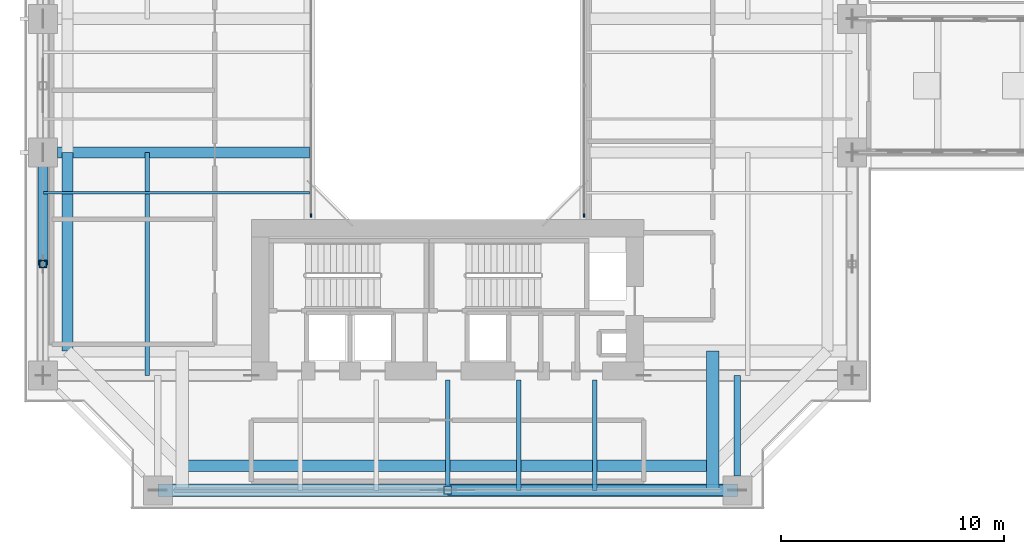
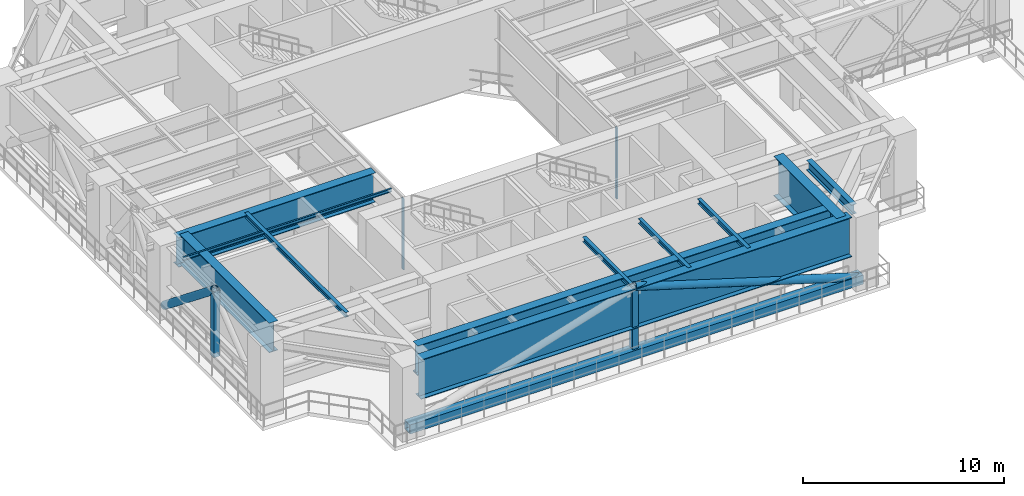
# One storey, part 2 of 25: 11 beams, 7 members, 2 elements without a shape of their own.
"""IFC4 building model written with IfcOpenShell, lengths in metres."""

from ifc_helpers import new_model, si_unit, direction, frame, origin, origin_2d, place, context, subcontext, project, spatial, rectangle, hollow_rectangle, hollow_circle, i_section, extrude, source, transform, mapped, material, layer, layer_set, material_profile, profile_set, type_object, element, aggregate, save


model = new_model("IFC4")

# Units and contexts
model_context = context("Model", 3, precision=1e-05, world=origin(), true_north=direction((0.0, 1.0)))
body_context = subcontext(model_context, "Body", "Model", "MODEL_VIEW")
ifc_project = project(units=[si_unit("LENGTHUNIT", "METRE"), si_unit("AREAUNIT", "SQUARE_METRE"), si_unit("VOLUMEUNIT", "CUBIC_METRE"), si_unit("PLANEANGLEUNIT", "RADIAN"), si_unit("MASSUNIT", "GRAM", prefix="KILO"), si_unit("THERMODYNAMICTEMPERATUREUNIT", "KELVIN"), si_unit("POWERUNIT", "WATT")], contexts=[model_context])

# Site, building, storey
site_placement = place(None, origin())
site = spatial("IfcSite", under=ifc_project, at=site_placement, CompositionType="ELEMENT")
building_placement = place(site_placement, origin())
building = spatial("IfcBuilding", under=site, at=building_placement, Name="Qiaomeng Ring Towers", CompositionType="ELEMENT")
storey_placement = place(building_placement, frame((0.0, 0.0, 92.5)))
storey = spatial("IfcBuildingStorey", under=building, at=storey_placement, Name="L26", CompositionType="ELEMENT", Elevation=92.5)

# Beams
ifc_material_1 = material(Name="Steel Q355B", Category="steel")
ifc_material_profile_1 = material_profile(ifc_material_1, i_section(OverallWidth=0.300048828125, OverallDepth=0.587890625, WebThickness=0.011962890625, FlangeThickness=0.02001953125, FilletRadius=0.028076171875, at=origin_2d()), Name="HM 588x300x12x20")
ifc_profile_set_1 = profile_set([ifc_material_profile_1], Name="Steel Q355B")
beam_type_1 = type_object("IfcBeamType", Name="STR-BM-HM588", PredefinedType="BEAM", material=ifc_profile_set_1)
shared_shape_1 = source(origin(), body_context, "Body", "SweptSolid", [
    extrude(i_section(OverallWidth=0.300048828125, OverallDepth=0.587890625, WebThickness=0.011962890625, FlangeThickness=0.02001953125, FilletRadius=0.028076171875, at=origin_2d()), origin(), (0.0, 0.0, 1.0), 4.5009765625),
])
beam_1_placement = place(storey_placement, frame((32.0, 5.4990234375, 4.02587890625), z_axis=(0.0, 1.0, 0.0), x_axis=(-1.0, 0.0, 0.0)))
element("IfcBeam", 1, at=beam_1_placement, inside=storey, type_object=beam_type_1, Name="L26 beam STR-BM-L26-T1-RAD-S2", PredefinedType="BEAM", context=body_context, shape_type="MappedRepresentation", body=[
    mapped(shared_shape_1, transform((0.0, 0.0, 0.0), x_axis=(1.0, 0.0, 0.0), y_axis=(0.0, 1.0, 0.0), z_axis=(0.0, 0.0, 1.0), scale=1.0)),
])
ifc_material_profile_2 = material_profile(ifc_material_1, i_section(OverallWidth=0.199951171875, OverallDepth=0.2939453125, WebThickness=0.008056640625, FlangeThickness=0.011962890625, FilletRadius=0.01806640625, at=origin_2d()), Name="HM 294x200x8x12")
ifc_profile_set_2 = profile_set([ifc_material_profile_2], Name="Steel Q355B")
beam_type_2 = type_object("IfcBeamType", Name="STR-BM-HM294", PredefinedType="JOIST", material=ifc_profile_set_2)
shared_shape_2 = source(origin(), body_context, "Body", "SweptSolid", [
    extrude(i_section(OverallWidth=0.199951171875, OverallDepth=0.2939453125, WebThickness=0.008056640625, FlangeThickness=0.011962890625, FilletRadius=0.01806640625, at=origin_2d()), origin(), (0.0, 0.0, 1.0), 4.949951171875),
])
for number, where, z_axis, x_axis, name in (
    (2, (19.0, 4.85009765625, 4.173095703125), (0.0, 1.0, 0.0), (-1.0, 0.0, 0.0), "L26 beam STR-JST-L26-T1S-3"),
    (3, (22.199951171875, 4.85009765625, 4.173095703125), (0.0, 1.0, 0.0), (-1.0, 0.0, 0.0), "L26 beam STR-JST-L26-T1S-4"),
    (4, (25.60009765625, 4.85009765625, 4.173095703125), (0.0, 1.0, 0.0), (-1.0, 0.0, 0.0), "L26 beam STR-JST-L26-T1S-5"),
):
    element("IfcBeam", number, at=place(storey_placement, frame(where, z_axis=z_axis, x_axis=x_axis)), inside=storey, type_object=beam_type_2, Name=name, PredefinedType="JOIST", context=body_context, shape_type="MappedRepresentation", body=[
        mapped(shared_shape_2, transform((0.0, 0.0, 0.0), x_axis=(1.0, 0.0, 0.0), y_axis=(0.0, 1.0, 0.0), z_axis=(0.0, 0.0, 1.0), scale=1.0)),
    ])
ifc_material_profile_3 = material_profile(ifc_material_1, i_section(OverallWidth=0.10009765625, OverallDepth=0.199951171875, WebThickness=0.005615234375, FlangeThickness=0.008056640625, FilletRadius=0.010986328125, at=origin_2d()), Name="HN 200x100x5.5x8")
ifc_profile_set_3 = profile_set([ifc_material_profile_3], Name="Steel Q355B")
beam_type_3 = type_object("IfcBeamType", Name="STR-BM-HN200", PredefinedType="JOIST", material=ifc_profile_set_3)
shared_shape_3 = source(origin(), body_context, "Body", "SweptSolid", [
    extrude(i_section(OverallWidth=0.10009765625, OverallDepth=0.199951171875, WebThickness=0.005615234375, FlangeThickness=0.008056640625, FilletRadius=0.010986328125, at=origin_2d()), origin(), (0.0, 0.0, 1.0), 11.949951171875),
])
beam_2_placement = place(storey_placement, frame((0.85009765625, 18.199951171875, 4.219970703125), z_axis=(1.0, 0.0, 0.0), x_axis=(0.0, 1.0, 0.0)))
element("IfcBeam", 5, at=beam_2_placement, inside=storey, type_object=beam_type_3, Name="L26 beam STR-JST-L26-T1W-1", PredefinedType="JOIST", context=body_context, shape_type="MappedRepresentation", body=[
    mapped(shared_shape_3, transform((0.0, 0.0, 0.0), x_axis=(1.0, 0.0, 0.0), y_axis=(0.0, 1.0, 0.0), z_axis=(0.0, 0.0, 1.0), scale=1.0)),
])
shared_shape_4 = source(origin(), body_context, "Body", "SweptSolid", [
    extrude(i_section(OverallWidth=0.199951171875, OverallDepth=0.2939453125, WebThickness=0.008056640625, FlangeThickness=0.011962890625, FilletRadius=0.01806640625, at=origin_2d()), origin(), (0.0, 0.0, 1.0), 10.0),
])
beam_3_placement = place(storey_placement, frame((5.52490234375, 10.0, 4.173095703125), z_axis=(0.0, 1.0, 0.0), x_axis=(-1.0, 0.0, 0.0)))
element("IfcBeam", 6, at=beam_3_placement, inside=storey, type_object=beam_type_2, Name="L26 beam STR-JST-L26-T1C-WS", PredefinedType="JOIST", context=body_context, shape_type="MappedRepresentation", body=[
    mapped(shared_shape_4, transform((0.0, 0.0, 0.0), x_axis=(1.0, 0.0, 0.0), y_axis=(0.0, 1.0, 0.0), z_axis=(0.0, 0.0, 1.0), scale=1.0)),
])

# Members
ifc_material_2 = material(Name="Steel Q390GJC", Category="steel")
ifc_material_profile_4 = material_profile(ifc_material_2, hollow_rectangle(XDim=0.550048828125, YDim=0.550048828125, WallThickness=0.031982421875, at=origin_2d()), Name="SHS 550x550x32")
ifc_profile_set_4 = profile_set([ifc_material_profile_4], Name="Steel Q390GJC")
member_type_1 = type_object("IfcMemberType", Name="STR-MB-CHORD-550", PredefinedType="CHORD", material=ifc_profile_set_4)
shared_shape_5 = source(origin(), body_context, "Body", "SweptSolid", [
    extrude(hollow_rectangle(XDim=0.550048828125, YDim=0.550048828125, WallThickness=0.031982421875, at=origin_2d()), origin(), (0.0, 0.0, 1.0), 26.0),
])
member_1_placement = place(storey_placement, frame((6.0, 4.85009765625, 0.320068359375), z_axis=(1.0, 0.0, 0.0), x_axis=(0.0, 1.0, 0.0)))
element("IfcMember", 7, at=member_1_placement, inside=storey, type_object=member_type_1, Name="L26 Belt Truss Bottom Chord S1-S2", PredefinedType="CHORD", context=body_context, shape_type="MappedRepresentation", body=[
    mapped(shared_shape_5, transform((0.0, 0.0, 0.0), x_axis=(1.0, 0.0, 0.0), y_axis=(0.0, 1.0, 0.0), z_axis=(0.0, 0.0, 1.0), scale=1.0)),
])
ifc_material_profile_5 = material_profile(ifc_material_2, hollow_circle(Radius=0.228515625, WallThickness=0.028076171875, at=origin_2d()), Name="CHS 457x28")
ifc_profile_set_5 = profile_set([ifc_material_profile_5], Name="Steel Q390GJC")
member_type_2 = type_object("IfcMemberType", Name="STR-MB-BR-457", PredefinedType="BRACE", material=ifc_profile_set_5)
shared_shape_6 = source(origin(), body_context, "Body", "SweptSolid", [
    extrude(hollow_circle(Radius=0.228515625, WallThickness=0.028076171875, at=origin_2d()), origin(), (0.0, 0.0, 1.0), 13.595703125),
])
member_2_placement = place(storey_placement, frame((32.0, 4.85009765625, 0.320068359375), z_axis=(-0.956191954359, 0.0, 0.292740407902), x_axis=(0.0, -1.0, 0.0)))
element("IfcMember", 8, at=member_2_placement, inside=storey, type_object=member_type_2, Name="L26 Belt Truss Diagonal S2-M", PredefinedType="BRACE", context=body_context, shape_type="MappedRepresentation", body=[
    mapped(shared_shape_6, transform((0.0, 0.0, 0.0), x_axis=(1.0, 0.0, 0.0), y_axis=(0.0, 1.0, 0.0), z_axis=(0.0, 0.0, 1.0), scale=1.0)),
])
ifc_material_profile_6 = material_profile(ifc_material_2, hollow_rectangle(XDim=0.35009765625, YDim=0.35009765625, WallThickness=0.02001953125, at=origin_2d()), Name="SHS 350x350x20")
ifc_profile_set_6 = profile_set([ifc_material_profile_6], Name="Steel Q390GJC")
member_type_3 = type_object("IfcMemberType", Name="STR-MB-POST-350", PredefinedType="POST", material=ifc_profile_set_6)
shared_shape_7 = source(origin(), body_context, "Body", "SweptSolid", [
    extrude(hollow_rectangle(XDim=0.35009765625, YDim=0.35009765625, WallThickness=0.02001953125, at=origin_2d()), origin(), (0.0, 0.0, 1.0), 4.0),
])
for number, where, z_axis, x_axis, name in (
    (9, (19.0, 4.85009765625, 0.320068359375), (0.0, 0.0, 1.0), (1.0, 0.0, 0.0), "L26 Belt Truss Post S1-S2"),
    (10, (0.85009765625, 15.0, 0.320068359375), (0.0, 0.0, 1.0), (1.0, 0.0, 0.0), "L26 Belt Truss Post W2-W1"),
):
    element("IfcMember", number, at=place(storey_placement, frame(where, z_axis=z_axis, x_axis=x_axis)), inside=storey, type_object=member_type_3, Name=name, PredefinedType="POST", context=body_context, shape_type="MappedRepresentation", body=[
        mapped(shared_shape_7, transform((0.0, 0.0, 0.0), x_axis=(1.0, 0.0, 0.0), y_axis=(0.0, 1.0, 0.0), z_axis=(0.0, 0.0, 1.0), scale=1.0)),
    ])
shared_shape_8 = source(origin(), body_context, "Body", "SweptSolid", [
    extrude(hollow_circle(Radius=0.228515625, WallThickness=0.028076171875, at=origin_2d()), origin(), (0.0, 0.0, 1.0), 6.390625),
])
member_3_placement = place(storey_placement, frame((0.85009765625, 20.0, 0.320068359375), z_axis=(0.0, -0.782394587595, 0.622783035497), x_axis=(1.0, 0.0, 0.0)))
element("IfcMember", 11, at=member_3_placement, inside=storey, type_object=member_type_2, Name="L26 Belt Truss Diagonal W2-M", PredefinedType="BRACE", context=body_context, shape_type="MappedRepresentation", body=[
    mapped(shared_shape_8, transform((0.0, 0.0, 0.0), x_axis=(1.0, 0.0, 0.0), y_axis=(0.0, 1.0, 0.0), z_axis=(0.0, 0.0, 1.0), scale=1.0)),
])

# Beams
ifc_material_profile_7 = material_profile(ifc_material_2, i_section(OverallWidth=0.550048828125, OverallDepth=2.39990234375, WebThickness=0.02587890625, FlangeThickness=0.035888671875, at=origin_2d()), Name="WH 2400x550x26x36")
ifc_profile_set_7 = profile_set([ifc_material_profile_7], Name="Steel Q390GJC")
beam_type_4 = type_object("IfcBeamType", Name="STR-TG-WH2400", PredefinedType="USERDEFINED", material=ifc_profile_set_7)
shared_shape_9 = source(origin(), body_context, "Body", "SweptSolid", [
    extrude(i_section(OverallWidth=0.550048828125, OverallDepth=2.39990234375, WebThickness=0.02587890625, FlangeThickness=0.035888671875, at=origin_2d()), origin(), (0.0, 0.0, 1.0), 24.7021484375),
])
beam_4_placement = place(storey_placement, frame((6.64892578125, 4.85009765625, 3.1201171875), z_axis=(1.0, 0.0, 0.0), x_axis=(0.0, 1.0, 0.0)))
element("IfcBeam", 12, at=beam_4_placement, inside=storey, type_object=beam_type_4, Name="L26 Transfer Girder STR-TG2-L26-OUT-S", ObjectType="TRANSFER GIRDER", PredefinedType="USERDEFINED", context=body_context, shape_type="MappedRepresentation", body=[
    mapped(shared_shape_9, transform((0.0, 0.0, 0.0), x_axis=(1.0, 0.0, 0.0), y_axis=(0.0, 1.0, 0.0), z_axis=(0.0, 0.0, 1.0), scale=1.0)),
])
ifc_material_profile_8 = material_profile(ifc_material_2, i_section(OverallWidth=0.5, OverallDepth=1.800048828125, WebThickness=0.02392578125, FlangeThickness=0.035888671875, at=origin_2d()), Name="WH 1800x500x24x36")
ifc_profile_set_8 = profile_set([ifc_material_profile_8], Name="Steel Q390GJC")
beam_type_5 = type_object("IfcBeamType", Name="STR-TG-WH1800", PredefinedType="USERDEFINED", material=ifc_profile_set_8)
shared_shape_10 = source(origin(), body_context, "Body", "SweptSolid", [
    extrude(i_section(OverallWidth=0.5, OverallDepth=1.800048828125, WebThickness=0.02392578125, FlangeThickness=0.035888671875, at=origin_2d()), origin(), (0.0, 0.0, 1.0), 11.301025390625),
])
beam_5_placement = place(storey_placement, frame((1.4990234375, 20.0, 3.419921875), z_axis=(1.0, 0.0, 0.0), x_axis=(0.0, 1.0, 0.0)))
element("IfcBeam", 13, at=beam_5_placement, inside=storey, type_object=beam_type_5, Name="L26 Transfer Girder STR-TG2-L26-W2", ObjectType="TRANSFER GIRDER", PredefinedType="USERDEFINED", context=body_context, shape_type="MappedRepresentation", body=[
    mapped(shared_shape_10, transform((0.0, 0.0, 0.0), x_axis=(1.0, 0.0, 0.0), y_axis=(0.0, 1.0, 0.0), z_axis=(0.0, 0.0, 1.0), scale=1.0)),
])
shared_shape_11 = source(origin(), body_context, "Body", "SweptSolid", [
    extrude(i_section(OverallWidth=0.550048828125, OverallDepth=2.39990234375, WebThickness=0.02587890625, FlangeThickness=0.035888671875, at=origin_2d()), origin(), (0.0, 0.0, 1.0), 6.25),
])
beam_6_placement = place(storey_placement, frame((30.89990234375, 4.85009765625, 3.1201171875), z_axis=(0.0, 1.0, 0.0), x_axis=(-1.0, 0.0, 0.0)))
element("IfcBeam", 14, at=beam_6_placement, inside=storey, type_object=beam_type_4, Name="L26 Transfer Girder STR-TG2-L26-S2", ObjectType="TRANSFER GIRDER", PredefinedType="USERDEFINED", context=body_context, shape_type="MappedRepresentation", body=[
    mapped(shared_shape_11, transform((0.0, 0.0, 0.0), x_axis=(1.0, 0.0, 0.0), y_axis=(0.0, 1.0, 0.0), z_axis=(0.0, 0.0, 1.0), scale=1.0)),
])
shared_shape_12 = source(origin(), body_context, "Body", "SweptSolid", [
    extrude(i_section(OverallWidth=0.5, OverallDepth=1.800048828125, WebThickness=0.02392578125, FlangeThickness=0.035888671875, at=origin_2d()), origin(), (0.0, 0.0, 1.0), 23.7998046875),
])
beam_7_placement = place(storey_placement, frame((7.10009765625, 5.949951171875, 3.419921875), z_axis=(1.0, 0.0, 0.0), x_axis=(0.0, 1.0, 0.0)))
element("IfcBeam", 15, at=beam_7_placement, inside=storey, type_object=beam_type_5, Name="L26 Transfer Girder STR-TG3-L26-S1-S2", ObjectType="TRANSFER GIRDER", PredefinedType="USERDEFINED", context=body_context, shape_type="MappedRepresentation", body=[
    mapped(shared_shape_12, transform((0.0, 0.0, 0.0), x_axis=(1.0, 0.0, 0.0), y_axis=(0.0, 1.0, 0.0), z_axis=(0.0, 0.0, 1.0), scale=1.0)),
])
shared_shape_13 = source(origin(), body_context, "Body", "SweptSolid", [
    extrude(i_section(OverallWidth=0.5, OverallDepth=1.800048828125, WebThickness=0.02392578125, FlangeThickness=0.035888671875, at=origin_2d()), origin(), (0.0, 0.0, 1.0), 8.89990234375),
])
beam_8_placement = place(storey_placement, frame((1.949951171875, 20.0, 3.419921875), z_axis=(0.0, -1.0, 0.0), x_axis=(1.0, 0.0, 0.0)))
element("IfcBeam", 16, at=beam_8_placement, inside=storey, type_object=beam_type_5, Name="L26 Transfer Girder STR-TG3-L26-W2-W1", ObjectType="TRANSFER GIRDER", PredefinedType="USERDEFINED", context=body_context, shape_type="MappedRepresentation", body=[
    mapped(shared_shape_13, transform((0.0, 0.0, 0.0), x_axis=(1.0, 0.0, 0.0), y_axis=(0.0, 1.0, 0.0), z_axis=(0.0, 0.0, 1.0), scale=1.0)),
])

# Curtain wall, member
ifc_material_3 = material(Name="Fluorocarbon dark-grey aluminium", Category="aluminium")
ifc_layer = layer(ifc_material_3, 0.139892578125, Name="Fluorocarbon dark-grey aluminium")
ifc_layer_set = layer_set([ifc_layer], Name="Fluorocarbon dark-grey aluminium")
curtain_wall_type = type_object("IfcCurtainWallType", Name="ARC-CW-4", PredefinedType="NOTDEFINED", material=ifc_layer_set)
curtain_wall_1_placement = place(storey_placement, origin())
curtain_wall_1 = element("IfcCurtainWall", 17, at=curtain_wall_1_placement, inside=storey, type_object=curtain_wall_type, Name="L26 Curtain Wall CW4", PredefinedType="NOTDEFINED")
ifc_material_profile_9 = material_profile(ifc_material_3, rectangle(XDim=0.06494140625, YDim=0.159912109375, at=origin_2d()), Name="ALU MULL 65x160")
ifc_profile_set_9 = profile_set([ifc_material_profile_9], Name="Fluorocarbon dark-grey aluminium")
member_type_4 = type_object("IfcMemberType", Name="ARC-CWM-140", PredefinedType="MULLION", material=ifc_profile_set_9)
shared_shape_14 = source(origin(), body_context, "Body", "SweptSolid", [
    extrude(rectangle(XDim=0.06494140625, YDim=0.159912109375, at=origin_2d()), origin(), (0.0, 0.0, 1.0), 4.320068359375),
])
member_4_placement = place(storey_placement, frame((12.8798828125, 17.1826171875, 0.0), z_axis=(0.0, 0.0, 1.0), x_axis=(-1.0, 0.0, 0.0)))
member_4 = element("IfcMember", 18, at=member_4_placement, type_object=member_type_4, Name="CW4 mullion 1", PredefinedType="MULLION", context=body_context, shape_type="MappedRepresentation", body=[
    mapped(shared_shape_14, transform((0.0, 0.0, 0.0), x_axis=(1.0, 0.0, 0.0), y_axis=(0.0, 1.0, 0.0), z_axis=(0.0, 0.0, 1.0), scale=1.0)),
])
aggregate(curtain_wall_1, [member_4])

curtain_wall_2_placement = place(storey_placement, origin())
curtain_wall_2 = element("IfcCurtainWall", 19, at=curtain_wall_2_placement, inside=storey, type_object=curtain_wall_type, Name="L26 Curtain Wall CW4", PredefinedType="NOTDEFINED")
member_5_placement = place(storey_placement, frame((25.1201171875, 17.1826171875, 0.0), z_axis=(0.0, 0.0, 1.0), x_axis=(-1.0, 0.0, 0.0)))
member_5 = element("IfcMember", 20, at=member_5_placement, type_object=member_type_4, Name="CW4 mullion 1", PredefinedType="MULLION", context=body_context, shape_type="MappedRepresentation", body=[
    mapped(shared_shape_14, transform((0.0, 0.0, 0.0), x_axis=(1.0, 0.0, 0.0), y_axis=(0.0, 1.0, 0.0), z_axis=(0.0, 0.0, 1.0), scale=1.0)),
])
aggregate(curtain_wall_2, [member_5])

save(model, "model.ifc")
